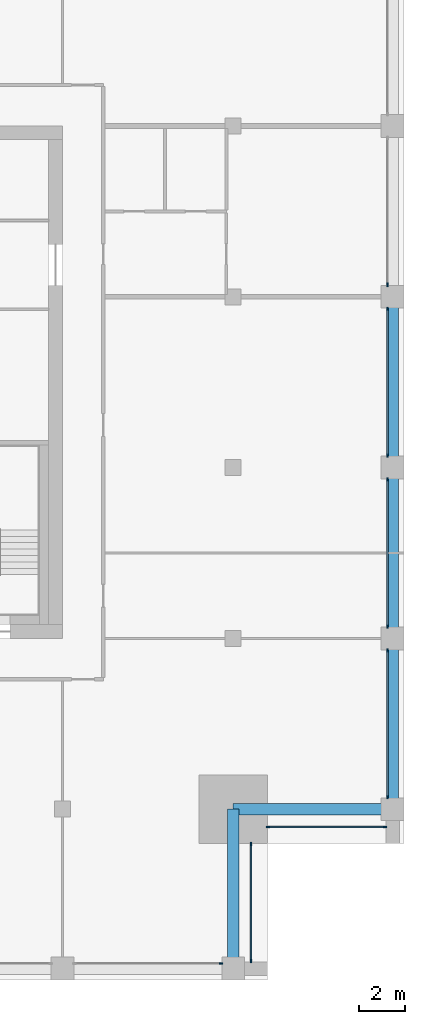
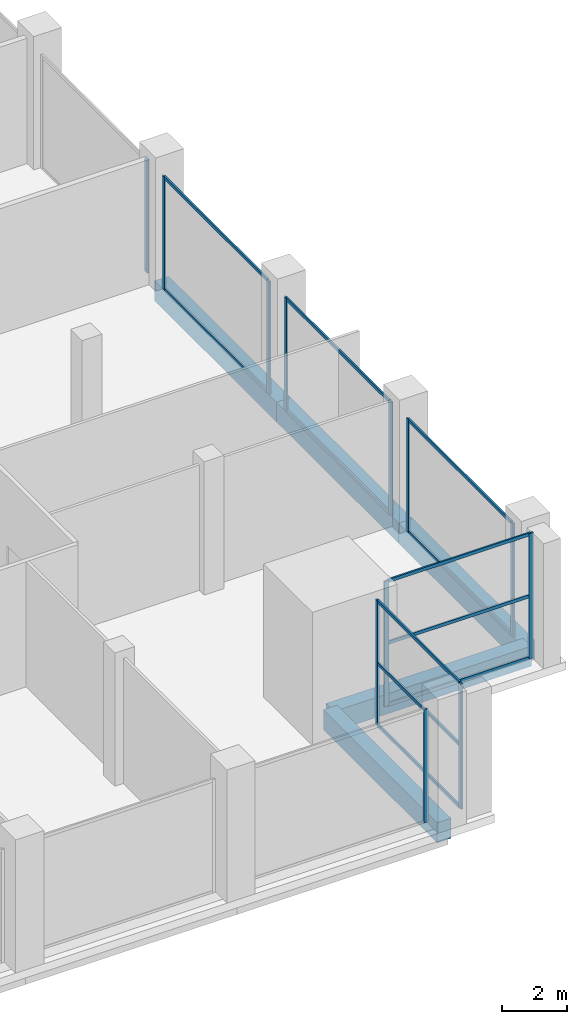
# One storey, part 4 of 15: 24 members, 5 beams, 7 elements without a shape of their own.
"""IFC4 building model written with IfcOpenShell, lengths in metres."""

from ifc_helpers import new_model, si_unit, direction, frame, origin, origin_2d, place, context, subcontext, project, spatial, rectangle, extrude, material, layer, layer_set, material_profile, profile_set, type_object, element, aggregate, save


model = new_model("IFC4")

# Units and contexts
model_context = context("Model", 3, precision=1e-05, world=origin(), true_north=direction((0.0, 1.0)))
body_context = subcontext(model_context, "Body", "Model", "MODEL_VIEW")
ifc_project = project(units=[si_unit("LENGTHUNIT", "METRE"), si_unit("AREAUNIT", "SQUARE_METRE"), si_unit("VOLUMEUNIT", "CUBIC_METRE"), si_unit("PLANEANGLEUNIT", "RADIAN"), si_unit("MASSUNIT", "GRAM", prefix="KILO")], contexts=[model_context])

# Site, building, storey
site_placement = place(None, origin())
site = spatial("IfcSite", under=ifc_project, at=site_placement, CompositionType="ELEMENT")
building_placement = place(site_placement, origin())
building = spatial("IfcBuilding", under=site, at=building_placement, Name="Tamorin Gate", CompositionType="ELEMENT")
storey_placement = place(building_placement, frame((0.0, 0.0, 297.699951171875)))
storey = spatial("IfcBuildingStorey", under=building, at=storey_placement, Name="L74", CompositionType="ELEMENT", Elevation=297.699951171875)

# Curtain wall, member
ifc_material_1 = material(Name="Aluminium mullions and transoms with clear glass", Category="aluminium")
ifc_layer = layer(ifc_material_1, 0.159912109375)
ifc_layer_set = layer_set([ifc_layer], Name="Curtain wall system CW2")
curtain_wall_type = type_object("IfcCurtainWallType", Name="Curtain wall system CW2", PredefinedType="NOTDEFINED", material=ifc_layer_set)
curtain_wall_1_placement = place(storey_placement, origin())
curtain_wall_1 = element("IfcCurtainWall", 1, at=curtain_wall_1_placement, inside=storey, type_object=curtain_wall_type, Name="Curtain wall", PredefinedType="NOTDEFINED")
ifc_material_2 = material(Name="Aluminium", Category="aluminium")
ifc_material_profile_1 = material_profile(ifc_material_2, rectangle(XDim=0.06005859375, YDim=0.159912109375, at=origin_2d()), Name="RECT 60x160")
ifc_profile_set_1 = profile_set([ifc_material_profile_1], Name="Aluminium")
member_type_1 = type_object("IfcMemberType", Name="Aluminium mullion 60x160", PredefinedType="MULLION", material=ifc_profile_set_1)
member_1_placement = place(storey_placement, frame((66.969970703125, 45.719970703125, 0.0), z_axis=(0.0, 0.0, 1.0), x_axis=(0.0, 1.0, 0.0)))
member_1 = element("IfcMember", 2, at=member_1_placement, type_object=member_type_1, Name="CW2 mullion 2", PredefinedType="MULLION", context=body_context, shape_type="SweptSolid", body=[
    extrude(rectangle(XDim=0.06005859375, YDim=0.159912109375, at=origin_2d()), origin(), (0.0, 0.0, 1.0), 4.25),
])
aggregate(curtain_wall_1, [member_1])

# Curtain wall, members
curtain_wall_2_placement = place(storey_placement, origin())
curtain_wall_2 = element("IfcCurtainWall", 3, at=curtain_wall_2_placement, inside=storey, type_object=curtain_wall_type, Name="Curtain wall", PredefinedType="NOTDEFINED")
member_2_placement = place(storey_placement, frame((68.280029296875, 45.830078125, 0.0), z_axis=(0.0, 0.0, 1.0), x_axis=(-1.0, 0.0, 0.0)))
member_2 = element("IfcMember", 4, at=member_2_placement, type_object=member_type_1, Name="CW2 mullion 1", PredefinedType="MULLION", context=body_context, shape_type="SweptSolid", body=[
    extrude(rectangle(XDim=0.06005859375, YDim=0.159912109375, at=origin_2d()), origin(), (0.0, 0.0, 1.0), 4.699951171875),
])
member_3_placement = place(storey_placement, frame((68.280029296875, 50.969970703125, 0.0), z_axis=(0.0, 0.0, 1.0), x_axis=(-1.0, 0.0, 0.0)))
member_3 = element("IfcMember", 5, at=member_3_placement, type_object=member_type_1, Name="CW2 mullion 2", PredefinedType="MULLION", context=body_context, shape_type="SweptSolid", body=[
    extrude(rectangle(XDim=0.06005859375, YDim=0.159912109375, at=origin_2d()), origin(), (0.0, 0.0, 1.0), 4.699951171875),
])

curtain_wall_3_placement = place(storey_placement, origin())
curtain_wall_3 = element("IfcCurtainWall", 6, at=curtain_wall_3_placement, inside=storey, type_object=curtain_wall_type, Name="Curtain wall", PredefinedType="NOTDEFINED")
member_4_placement = place(storey_placement, frame((69.030029296875, 51.719970703125, 0.0), z_axis=(0.0, 0.0, 1.0), x_axis=(0.0, 1.0, 0.0)))
member_4 = element("IfcMember", 7, at=member_4_placement, type_object=member_type_1, Name="CW2 mullion 1", PredefinedType="MULLION", context=body_context, shape_type="SweptSolid", body=[
    extrude(rectangle(XDim=0.06005859375, YDim=0.159912109375, at=origin_2d()), origin(), (0.0, 0.0, 1.0), 4.699951171875),
])
member_5_placement = place(storey_placement, frame((74.169921875, 51.719970703125, 0.0), z_axis=(0.0, 0.0, 1.0), x_axis=(0.0, 1.0, 0.0)))
member_5 = element("IfcMember", 8, at=member_5_placement, type_object=member_type_1, Name="CW2 mullion 2", PredefinedType="MULLION", context=body_context, shape_type="SweptSolid", body=[
    extrude(rectangle(XDim=0.06005859375, YDim=0.159912109375, at=origin_2d()), origin(), (0.0, 0.0, 1.0), 4.699951171875),
])

curtain_wall_4_placement = place(storey_placement, origin())
curtain_wall_4 = element("IfcCurtainWall", 9, at=curtain_wall_4_placement, inside=storey, type_object=curtain_wall_type, Name="Curtain wall", PredefinedType="NOTDEFINED")
member_6_placement = place(storey_placement, frame((74.280029296875, 53.030029296875, 0.0), z_axis=(0.0, 0.0, 1.0), x_axis=(-1.0, 0.0, 0.0)))
member_6 = element("IfcMember", 10, at=member_6_placement, type_object=member_type_1, Name="CW2 mullion 1", PredefinedType="MULLION", context=body_context, shape_type="SweptSolid", body=[
    extrude(rectangle(XDim=0.06005859375, YDim=0.159912109375, at=origin_2d()), origin(), (0.0, 0.0, 1.0), 4.25),
])
member_7_placement = place(storey_placement, frame((74.280029296875, 59.469970703125, 0.0), z_axis=(0.0, 0.0, 1.0), x_axis=(-1.0, 0.0, 0.0)))
member_7 = element("IfcMember", 11, at=member_7_placement, type_object=member_type_1, Name="CW2 mullion 2", PredefinedType="MULLION", context=body_context, shape_type="SweptSolid", body=[
    extrude(rectangle(XDim=0.06005859375, YDim=0.159912109375, at=origin_2d()), origin(), (0.0, 0.0, 1.0), 4.25),
])

curtain_wall_5_placement = place(storey_placement, origin())
curtain_wall_5 = element("IfcCurtainWall", 12, at=curtain_wall_5_placement, inside=storey, type_object=curtain_wall_type, Name="Curtain wall", PredefinedType="NOTDEFINED")
member_8_placement = place(storey_placement, frame((74.280029296875, 60.530029296875, 0.0), z_axis=(0.0, 0.0, 1.0), x_axis=(-1.0, 0.0, 0.0)))
member_8 = element("IfcMember", 13, at=member_8_placement, type_object=member_type_1, Name="CW2 mullion 1", PredefinedType="MULLION", context=body_context, shape_type="SweptSolid", body=[
    extrude(rectangle(XDim=0.06005859375, YDim=0.159912109375, at=origin_2d()), origin(), (0.0, 0.0, 1.0), 4.25),
])
member_9_placement = place(storey_placement, frame((74.280029296875, 66.969970703125, 0.0), z_axis=(0.0, 0.0, 1.0), x_axis=(-1.0, 0.0, 0.0)))
member_9 = element("IfcMember", 14, at=member_9_placement, type_object=member_type_1, Name="CW2 mullion 2", PredefinedType="MULLION", context=body_context, shape_type="SweptSolid", body=[
    extrude(rectangle(XDim=0.06005859375, YDim=0.159912109375, at=origin_2d()), origin(), (0.0, 0.0, 1.0), 4.25),
])

curtain_wall_6_placement = place(storey_placement, origin())
curtain_wall_6 = element("IfcCurtainWall", 15, at=curtain_wall_6_placement, inside=storey, type_object=curtain_wall_type, Name="Curtain wall", PredefinedType="NOTDEFINED")
member_10_placement = place(storey_placement, frame((74.280029296875, 68.030029296875, 0.0), z_axis=(0.0, 0.0, 1.0), x_axis=(-1.0, 0.0, 0.0)))
member_10 = element("IfcMember", 16, at=member_10_placement, type_object=member_type_1, Name="CW2 mullion 1", PredefinedType="MULLION", context=body_context, shape_type="SweptSolid", body=[
    extrude(rectangle(XDim=0.06005859375, YDim=0.159912109375, at=origin_2d()), origin(), (0.0, 0.0, 1.0), 4.25),
])
member_11_placement = place(storey_placement, frame((74.280029296875, 74.469970703125, 0.0), z_axis=(0.0, 0.0, 1.0), x_axis=(-1.0, 0.0, 0.0)))
member_11 = element("IfcMember", 17, at=member_11_placement, type_object=member_type_1, Name="CW2 mullion 2", PredefinedType="MULLION", context=body_context, shape_type="SweptSolid", body=[
    extrude(rectangle(XDim=0.06005859375, YDim=0.159912109375, at=origin_2d()), origin(), (0.0, 0.0, 1.0), 4.25),
])

# Curtain wall, member
curtain_wall_7_placement = place(storey_placement, origin())
curtain_wall_7 = element("IfcCurtainWall", 18, at=curtain_wall_7_placement, inside=storey, type_object=curtain_wall_type, Name="Curtain wall", PredefinedType="NOTDEFINED")
member_12_placement = place(storey_placement, frame((74.280029296875, 75.530029296875, 0.0), z_axis=(0.0, 0.0, 1.0), x_axis=(-1.0, 0.0, 0.0)))
member_12 = element("IfcMember", 19, at=member_12_placement, type_object=member_type_1, Name="CW2 mullion 1", PredefinedType="MULLION", context=body_context, shape_type="SweptSolid", body=[
    extrude(rectangle(XDim=0.06005859375, YDim=0.159912109375, at=origin_2d()), origin(), (0.0, 0.0, 1.0), 4.25),
])
aggregate(curtain_wall_7, [member_12])

# Member
ifc_material_profile_2 = material_profile(ifc_material_2, rectangle(XDim=0.06005859375, YDim=0.1201171875, at=origin_2d()), Name="RECT 60x120")
ifc_profile_set_2 = profile_set([ifc_material_profile_2], Name="Aluminium")
member_type_2 = type_object("IfcMemberType", Name="Aluminium transom 60x120", PredefinedType="USERDEFINED", material=ifc_profile_set_2)
member_13_placement = place(storey_placement, frame((68.280029296875, 45.860107421875, 0.030029296875), z_axis=(0.0, 1.0, 0.0), x_axis=(-1.0, 0.0, 0.0)))
member_13 = element("IfcMember", 20, at=member_13_placement, type_object=member_type_2, Name="CW2 transom 1.1", ObjectType="TRANSOM", PredefinedType="USERDEFINED", context=body_context, shape_type="SweptSolid", body=[
    extrude(rectangle(XDim=0.06005859375, YDim=0.1201171875, at=origin_2d()), origin(), (0.0, 0.0, 1.0), 5.079833984375),
])

member_14_placement = place(storey_placement, frame((68.280029296875, 45.860107421875, 2.35009765625), z_axis=(0.0, 1.0, 0.0), x_axis=(-1.0, 0.0, 0.0)))
member_14 = element("IfcMember", 21, at=member_14_placement, type_object=member_type_2, Name="CW2 transom 1.2", ObjectType="TRANSOM", PredefinedType="USERDEFINED", context=body_context, shape_type="SweptSolid", body=[
    extrude(rectangle(XDim=0.06005859375, YDim=0.1201171875, at=origin_2d()), origin(), (0.0, 0.0, 1.0), 5.079833984375),
])

member_15_placement = place(storey_placement, frame((68.280029296875, 45.860107421875, 4.670166015625), z_axis=(0.0, 1.0, 0.0), x_axis=(-1.0, 0.0, 0.0)))
member_15 = element("IfcMember", 22, at=member_15_placement, type_object=member_type_2, Name="CW2 transom 1.3", ObjectType="TRANSOM", PredefinedType="USERDEFINED", context=body_context, shape_type="SweptSolid", body=[
    extrude(rectangle(XDim=0.06005859375, YDim=0.1201171875, at=origin_2d()), origin(), (0.0, 0.0, 1.0), 5.079833984375),
])

aggregate(curtain_wall_2, [member_2, member_3, member_13, member_14, member_15])

member_16_placement = place(storey_placement, frame((69.06005859375, 51.719970703125, 0.030029296875), z_axis=(1.0, 0.0, 0.0), x_axis=(0.0, 1.0, 0.0)))
member_16 = element("IfcMember", 23, at=member_16_placement, type_object=member_type_2, Name="CW2 transom 1.1", ObjectType="TRANSOM", PredefinedType="USERDEFINED", context=body_context, shape_type="SweptSolid", body=[
    extrude(rectangle(XDim=0.06005859375, YDim=0.1201171875, at=origin_2d()), origin(), (0.0, 0.0, 1.0), 5.079833984375),
])

member_17_placement = place(storey_placement, frame((69.06005859375, 51.719970703125, 2.35009765625), z_axis=(1.0, 0.0, 0.0), x_axis=(0.0, 1.0, 0.0)))
member_17 = element("IfcMember", 24, at=member_17_placement, type_object=member_type_2, Name="CW2 transom 1.2", ObjectType="TRANSOM", PredefinedType="USERDEFINED", context=body_context, shape_type="SweptSolid", body=[
    extrude(rectangle(XDim=0.06005859375, YDim=0.1201171875, at=origin_2d()), origin(), (0.0, 0.0, 1.0), 5.079833984375),
])

member_18_placement = place(storey_placement, frame((69.06005859375, 51.719970703125, 4.670166015625), z_axis=(1.0, 0.0, 0.0), x_axis=(0.0, 1.0, 0.0)))
member_18 = element("IfcMember", 25, at=member_18_placement, type_object=member_type_2, Name="CW2 transom 1.3", ObjectType="TRANSOM", PredefinedType="USERDEFINED", context=body_context, shape_type="SweptSolid", body=[
    extrude(rectangle(XDim=0.06005859375, YDim=0.1201171875, at=origin_2d()), origin(), (0.0, 0.0, 1.0), 5.079833984375),
])

aggregate(curtain_wall_3, [member_4, member_5, member_16, member_17, member_18])

member_19_placement = place(storey_placement, frame((74.280029296875, 53.06005859375, 0.030029296875), z_axis=(0.0, 1.0, 0.0), x_axis=(-1.0, 0.0, 0.0)))
member_19 = element("IfcMember", 26, at=member_19_placement, type_object=member_type_2, Name="CW2 transom 1.1", ObjectType="TRANSOM", PredefinedType="USERDEFINED", context=body_context, shape_type="SweptSolid", body=[
    extrude(rectangle(XDim=0.06005859375, YDim=0.1201171875, at=origin_2d()), origin(), (0.0, 0.0, 1.0), 6.3798828125),
])

member_20_placement = place(storey_placement, frame((74.280029296875, 53.06005859375, 4.219970703125), z_axis=(0.0, 1.0, 0.0), x_axis=(-1.0, 0.0, 0.0)))
member_20 = element("IfcMember", 27, at=member_20_placement, type_object=member_type_2, Name="CW2 transom 1.2", ObjectType="TRANSOM", PredefinedType="USERDEFINED", context=body_context, shape_type="SweptSolid", body=[
    extrude(rectangle(XDim=0.06005859375, YDim=0.1201171875, at=origin_2d()), origin(), (0.0, 0.0, 1.0), 6.3798828125),
])

aggregate(curtain_wall_4, [member_6, member_7, member_19, member_20])

member_21_placement = place(storey_placement, frame((74.280029296875, 60.56005859375, 0.030029296875), z_axis=(0.0, 1.0, 0.0), x_axis=(-1.0, 0.0, 0.0)))
member_21 = element("IfcMember", 28, at=member_21_placement, type_object=member_type_2, Name="CW2 transom 1.1", ObjectType="TRANSOM", PredefinedType="USERDEFINED", context=body_context, shape_type="SweptSolid", body=[
    extrude(rectangle(XDim=0.06005859375, YDim=0.1201171875, at=origin_2d()), origin(), (0.0, 0.0, 1.0), 6.3798828125),
])

member_22_placement = place(storey_placement, frame((74.280029296875, 60.56005859375, 4.219970703125), z_axis=(0.0, 1.0, 0.0), x_axis=(-1.0, 0.0, 0.0)))
member_22 = element("IfcMember", 29, at=member_22_placement, type_object=member_type_2, Name="CW2 transom 1.2", ObjectType="TRANSOM", PredefinedType="USERDEFINED", context=body_context, shape_type="SweptSolid", body=[
    extrude(rectangle(XDim=0.06005859375, YDim=0.1201171875, at=origin_2d()), origin(), (0.0, 0.0, 1.0), 6.3798828125),
])

aggregate(curtain_wall_5, [member_8, member_9, member_21, member_22])

member_23_placement = place(storey_placement, frame((74.280029296875, 68.06005859375, 0.030029296875), z_axis=(0.0, 1.0, 0.0), x_axis=(-1.0, 0.0, 0.0)))
member_23 = element("IfcMember", 30, at=member_23_placement, type_object=member_type_2, Name="CW2 transom 1.1", ObjectType="TRANSOM", PredefinedType="USERDEFINED", context=body_context, shape_type="SweptSolid", body=[
    extrude(rectangle(XDim=0.06005859375, YDim=0.1201171875, at=origin_2d()), origin(), (0.0, 0.0, 1.0), 6.3798828125),
])

member_24_placement = place(storey_placement, frame((74.280029296875, 68.06005859375, 4.219970703125), z_axis=(0.0, 1.0, 0.0), x_axis=(-1.0, 0.0, 0.0)))
member_24 = element("IfcMember", 31, at=member_24_placement, type_object=member_type_2, Name="CW2 transom 1.2", ObjectType="TRANSOM", PredefinedType="USERDEFINED", context=body_context, shape_type="SweptSolid", body=[
    extrude(rectangle(XDim=0.06005859375, YDim=0.1201171875, at=origin_2d()), origin(), (0.0, 0.0, 1.0), 6.3798828125),
])

aggregate(curtain_wall_6, [member_10, member_11, member_23, member_24])

# Beams
ifc_material_3 = material(Name="Concrete C50/60", Category="concrete")
ifc_material_profile_3 = material_profile(ifc_material_3, rectangle(XDim=0.5, YDim=0.75, at=origin_2d()), Name="RC 500x750")
ifc_profile_set_3 = profile_set([ifc_material_profile_3], Name="Concrete C50/60")
beam_type = type_object("IfcBeamType", Name="RC spandrel 500x750 C50/60", PredefinedType="BEAM", material=ifc_profile_set_3)
for number, where, z_axis, x_axis, name in (
    (32, (74.5, 52.5, -0.375), (0.0, 1.0, 0.0), (-1.0, 0.0, 0.0), "Spandrel beam L74"),
    (33, (74.5, 60.0, -0.375), (0.0, 1.0, 0.0), (-1.0, 0.0, 0.0), "Spandrel beam L74"),
    (34, (74.5, 67.5, -0.375), (0.0, 1.0, 0.0), (-1.0, 0.0, 0.0), "Spandrel beam L74"),
):
    element("IfcBeam", number, at=place(storey_placement, frame(where, z_axis=z_axis, x_axis=x_axis)), inside=storey, type_object=beam_type, Name=name, PredefinedType="BEAM", context=body_context, shape_type="SweptSolid", body=[
        extrude(rectangle(XDim=0.5, YDim=0.75, at=origin_2d()), origin(), (0.0, 0.0, 1.0), 7.5),
    ])
for number, where, z_axis, x_axis, name in (
    (35, (67.5, 52.5, -0.375), (0.0, -1.0, 0.0), (1.0, 0.0, 0.0), "Corner tie beam L74"),
    (36, (67.5, 52.5, -0.375), (1.0, 0.0, 0.0), (0.0, 1.0, 0.0), "Corner tie beam L74"),
):
    element("IfcBeam", number, at=place(storey_placement, frame(where, z_axis=z_axis, x_axis=x_axis)), inside=storey, type_object=beam_type, Name=name, PredefinedType="BEAM", context=body_context, shape_type="SweptSolid", body=[
        extrude(rectangle(XDim=0.5, YDim=0.75, at=origin_2d()), origin(), (0.0, 0.0, 1.0), 7.0),
    ])

save(model, "model.ifc")
